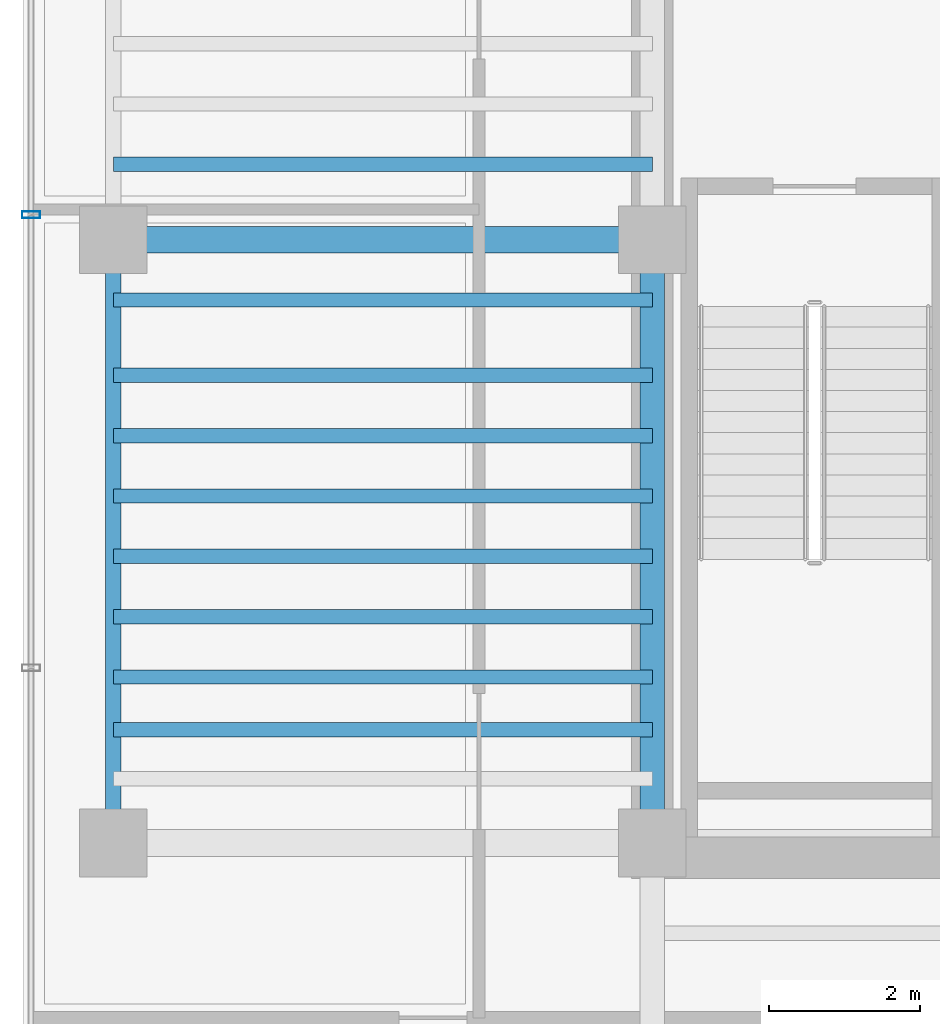
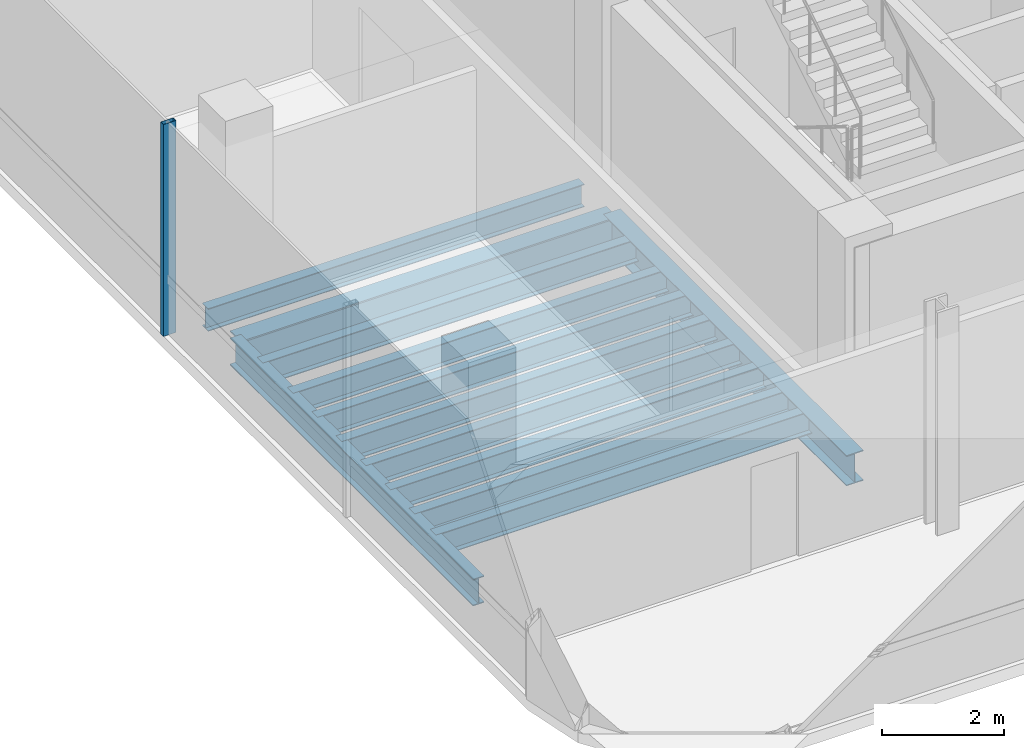
# One storey, part 3 of 17: 12 beams, 1 member, 1 element without a shape of its own.
"""IFC4 building model written with IfcOpenShell, lengths in metres."""

from ifc_helpers import new_model, si_unit, direction, frame, origin, origin_2d, place, context, subcontext, project, spatial, hollow_rectangle, i_section, extrude, source, transform, mapped, material, material_profile, profile_set, type_object, element, aggregate, save


model = new_model("IFC4")

# Units and contexts
model_context = context("Model", 3, precision=1e-05, world=origin(), true_north=direction((0.0, 1.0)))
body_context = subcontext(model_context, "Body", "Model", "MODEL_VIEW")
ifc_project = project(units=[si_unit("LENGTHUNIT", "METRE"), si_unit("AREAUNIT", "SQUARE_METRE"), si_unit("VOLUMEUNIT", "CUBIC_METRE"), si_unit("PLANEANGLEUNIT", "RADIAN"), si_unit("MASSUNIT", "GRAM", prefix="KILO")], contexts=[model_context])

# Site, building, storey
site_placement = place(None, origin())
site = spatial("IfcSite", under=ifc_project, at=site_placement, CompositionType="ELEMENT")
building_placement = place(site_placement, origin())
building = spatial("IfcBuilding", under=site, at=building_placement, Name="Valdorenza Pilgrim Sanctuary Tower", CompositionType="ELEMENT")
storey_placement = place(building_placement, frame((0.0, 0.0, 201.0)))
storey = spatial("IfcBuildingStorey", under=building, at=storey_placement, Name="L51", CompositionType="ELEMENT", Elevation=201.0)

# Beams
ifc_material_1 = material(Name="Steel ASTM A992 Grade 50", Category="steel")
ifc_material_profile_1 = material_profile(ifc_material_1, i_section(OverallWidth=0.323974609375, OverallDepth=0.611083984375, WebThickness=0.0126953125, FlangeThickness=0.01904296875, at=origin_2d()), Name="W24X104")
ifc_profile_set_1 = profile_set([ifc_material_profile_1], Name="Steel ASTM A992 Grade 50")
beam_type_1 = type_object("IfcBeamType", Name="STR-BM-GRD-W24B", PredefinedType="BEAM", material=ifc_profile_set_1)
shared_shape_1 = source(origin(), body_context, "Body", "SweptSolid", [
    extrude(i_section(OverallWidth=0.323974609375, OverallDepth=0.611083984375, WebThickness=0.0126953125, FlangeThickness=0.01904296875, at=origin_2d()), origin(), (0.0, 0.0, 1.0), 8.0),
])
beam_1_placement = place(storey_placement, frame((-22.64990234375, -10.60009765625, -0.54541015625), z_axis=(0.0, 1.0, 0.0), x_axis=(-1.0, 0.0, 0.0)))
element("IfcBeam", 1, at=beam_1_placement, inside=storey, type_object=beam_type_1, Name="L51 Core Tie Girder CA-W-S1M0", PredefinedType="BEAM", context=body_context, shape_type="MappedRepresentation", body=[
    mapped(shared_shape_1, transform((0.0, 0.0, 0.0), x_axis=(1.0, 0.0, 0.0), y_axis=(0.0, 1.0, 0.0), z_axis=(0.0, 0.0, 1.0), scale=1.0)),
])
ifc_material_profile_2 = material_profile(ifc_material_1, i_section(OverallWidth=0.19091796875, OverallDepth=0.45703125, WebThickness=0.009033203125, FlangeThickness=0.014404296875, at=origin_2d()), Name="W18X50")
ifc_profile_set_2 = profile_set([ifc_material_profile_2], Name="Steel ASTM A992 Grade 50")
beam_type_2 = type_object("IfcBeamType", Name="STR-BM-JST-W18B", PredefinedType="JOIST", material=ifc_profile_set_2)
shared_shape_2 = source(origin(), body_context, "Body", "SweptSolid", [
    extrude(i_section(OverallWidth=0.19091796875, OverallDepth=0.45703125, WebThickness=0.009033203125, FlangeThickness=0.014404296875, at=origin_2d()), origin(), (0.0, 0.0, 1.0), 7.150146484375),
])
for number, where, z_axis, x_axis, name in (
    (2, (-29.800048828125, -9.10009765625, -0.468505859375), (1.0, 0.0, 0.0), (0.0, 1.0, 0.0), "L51 Composite Floor Joist JST-WA-2"),
    (3, (-29.800048828125, -8.39990234375, -0.468505859375), (1.0, 0.0, 0.0), (0.0, 1.0, 0.0), "L51 Composite Floor Joist JST-WA-3"),
    (4, (-29.800048828125, -7.60009765625, -0.468505859375), (1.0, 0.0, 0.0), (0.0, 1.0, 0.0), "L51 Composite Floor Joist JST-WA-4"),
    (5, (-29.800048828125, -6.800048828125, -0.468505859375), (1.0, 0.0, 0.0), (0.0, 1.0, 0.0), "L51 Composite Floor Joist JST-WA-5"),
    (6, (-29.800048828125, -6.0, -0.468505859375), (1.0, 0.0, 0.0), (0.0, 1.0, 0.0), "L51 Composite Floor Joist JST-WA-6"),
    (7, (-29.800048828125, -5.199951171875, -0.468505859375), (1.0, 0.0, 0.0), (0.0, 1.0, 0.0), "L51 Composite Floor Joist JST-WA-7"),
    (8, (-29.800048828125, -4.39990234375, -0.468505859375), (1.0, 0.0, 0.0), (0.0, 1.0, 0.0), "L51 Composite Floor Joist JST-WA-8"),
    (9, (-29.800048828125, -3.39990234375, -0.468505859375), (1.0, 0.0, 0.0), (0.0, 1.0, 0.0), "L51 Composite Floor Joist JST-WA-9"),
    (10, (-29.800048828125, -1.60009765625, -0.468505859375), (1.0, 0.0, 0.0), (0.0, 1.0, 0.0), "L51 Composite Floor Joist JST-WA-10"),
):
    element("IfcBeam", number, at=place(storey_placement, frame(where, z_axis=z_axis, x_axis=x_axis)), inside=storey, type_object=beam_type_2, Name=name, PredefinedType="JOIST", context=body_context, shape_type="MappedRepresentation", body=[
        mapped(shared_shape_2, transform((0.0, 0.0, 0.0), x_axis=(1.0, 0.0, 0.0), y_axis=(0.0, 1.0, 0.0), z_axis=(0.0, 0.0, 1.0), scale=1.0)),
    ])
ifc_material_profile_3 = material_profile(ifc_material_1, i_section(OverallWidth=0.2109375, OverallDepth=0.5390625, WebThickness=0.01171875, FlangeThickness=0.018798828125, at=origin_2d()), Name="W21X73")
ifc_profile_set_3 = profile_set([ifc_material_profile_3], Name="Steel ASTM A992 Grade 50")
beam_type_3 = type_object("IfcBeamType", Name="STR-BM-SPN-W21B", PredefinedType="SPANDREL", material=ifc_profile_set_3)
shared_shape_3 = source(origin(), body_context, "Body", "SweptSolid", [
    extrude(i_section(OverallWidth=0.2109375, OverallDepth=0.5390625, WebThickness=0.01171875, FlangeThickness=0.018798828125, at=origin_2d()), origin(), (0.0, 0.0, 1.0), 8.0),
])
beam_2_placement = place(storey_placement, frame((-29.800048828125, -10.60009765625, -0.509521484375), z_axis=(0.0, 1.0, 0.0), x_axis=(-1.0, 0.0, 0.0)))
element("IfcBeam", 11, at=beam_2_placement, inside=storey, type_object=beam_type_3, Name="L51 Spandrel Beam WA-W-S1M0", PredefinedType="SPANDREL", context=body_context, shape_type="MappedRepresentation", body=[
    mapped(shared_shape_3, transform((0.0, 0.0, 0.0), x_axis=(1.0, 0.0, 0.0), y_axis=(0.0, 1.0, 0.0), z_axis=(0.0, 0.0, 1.0), scale=1.0)),
])
ifc_material_profile_4 = material_profile(ifc_material_1, i_section(OverallWidth=0.35595703125, OverallDepth=0.700927734375, WebThickness=0.016845703125, FlangeThickness=0.02734375, at=origin_2d()), Name="W27X161")
ifc_profile_set_4 = profile_set([ifc_material_profile_4], Name="Steel ASTM A992 Grade 50")
beam_type_4 = type_object("IfcBeamType", Name="STR-BM-GRD-W27", PredefinedType="BEAM", material=ifc_profile_set_4)
shared_shape_4 = source(origin(), body_context, "Body", "SweptSolid", [
    extrude(i_section(OverallWidth=0.35595703125, OverallDepth=0.700927734375, WebThickness=0.016845703125, FlangeThickness=0.02734375, at=origin_2d()), origin(), (0.0, 0.0, 1.0), 7.150146484375),
])
beam_3_placement = place(storey_placement, frame((-29.800048828125, -2.60009765625, -0.590576171875), z_axis=(1.0, 0.0, 0.0), x_axis=(0.0, 1.0, 0.0)))
element("IfcBeam", 12, at=beam_3_placement, inside=storey, type_object=beam_type_4, Name="L51 Floor Girder WA-XW-M0", PredefinedType="BEAM", context=body_context, shape_type="MappedRepresentation", body=[
    mapped(shared_shape_4, transform((0.0, 0.0, 0.0), x_axis=(1.0, 0.0, 0.0), y_axis=(0.0, 1.0, 0.0), z_axis=(0.0, 0.0, 1.0), scale=1.0)),
])

# Curtain wall, member
ifc_material_2 = material(Name="Curtain-wall IGU glazing", Category="glass")
curtain_wall_type = type_object("IfcCurtainWallType", Name="CW-SYS-04", PredefinedType="NOTDEFINED", material=ifc_material_2)
curtain_wall_placement = place(storey_placement, origin())
curtain_wall = element("IfcCurtainWall", 13, at=curtain_wall_placement, inside=storey, type_object=curtain_wall_type, Name="L51 Curtain Wall CW-L51-1-1", PredefinedType="NOTDEFINED")
ifc_material_3 = material(Name="Anodised aluminium AW-6060", Category="aluminium")
ifc_material_profile_5 = material_profile(ifc_material_3, hollow_rectangle(XDim=0.090087890625, YDim=0.239990234375, WallThickness=0.0048828125, at=origin_2d()), Name="ALU-M 240x90x5")
ifc_profile_set_5 = profile_set([ifc_material_profile_5], Name="Anodised aluminium AW-6060")
member_type = type_object("IfcMemberType", Name="CW-MUL-04", PredefinedType="MULLION", material=ifc_profile_set_5)
shared_shape_5 = source(origin(), body_context, "Body", "SweptSolid", [
    extrude(hollow_rectangle(XDim=0.090087890625, YDim=0.239990234375, WallThickness=0.0048828125, at=origin_2d()), origin(), (0.0, 0.0, 1.0), 4.260009765625),
])
member_placement = place(storey_placement, frame((-30.889892578125, -2.2705078125, 0.0), z_axis=(0.0, 0.0, 1.0), x_axis=(0.0, 1.0, 0.0)))
member = element("IfcMember", 14, at=member_placement, type_object=member_type, Name="CW-L51-1-1 Mullion 3", PredefinedType="MULLION", context=body_context, shape_type="MappedRepresentation", body=[
    mapped(shared_shape_5, transform((0.0, 0.0, 0.0), x_axis=(1.0, 0.0, 0.0), y_axis=(0.0, 1.0, 0.0), z_axis=(0.0, 0.0, 1.0), scale=1.0)),
])
aggregate(curtain_wall, [member])

save(model, "model.ifc")
